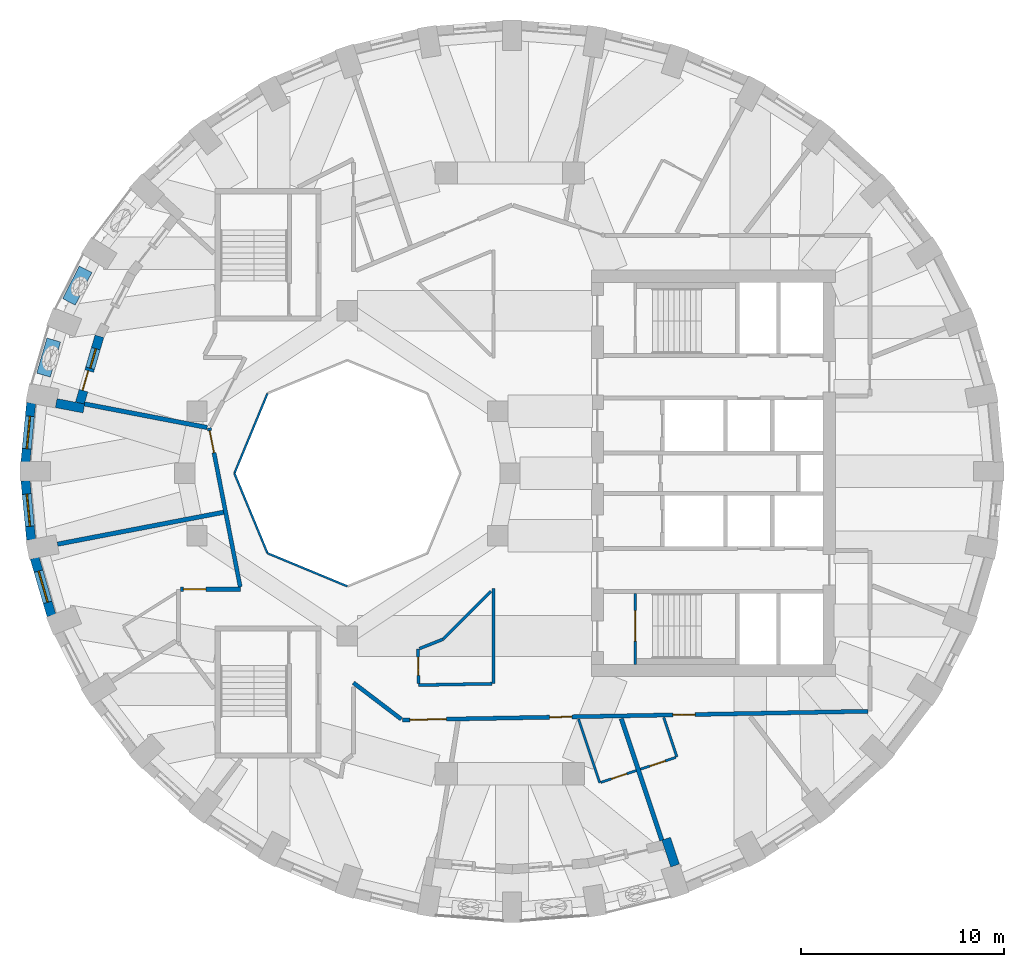
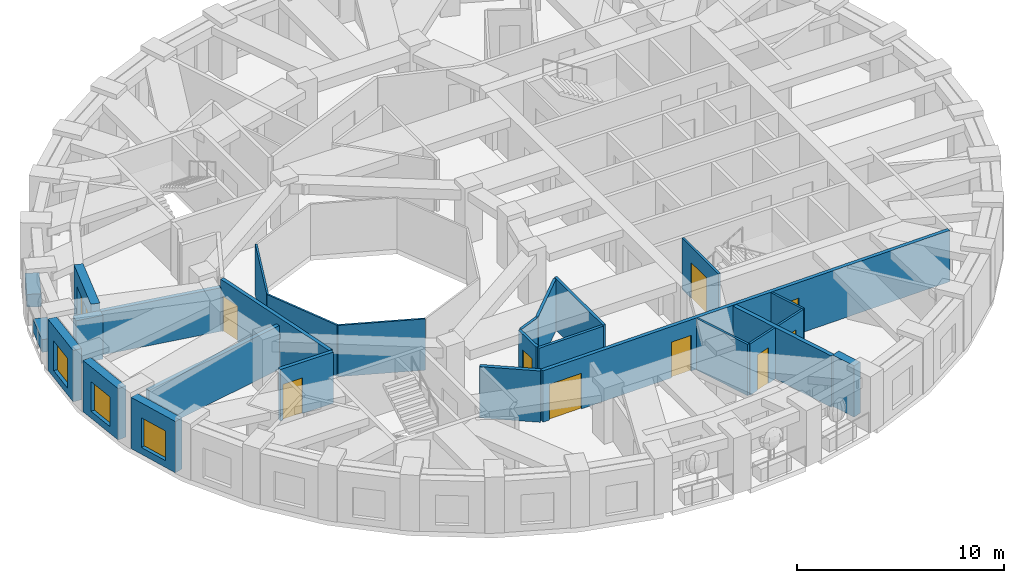
# One storey, part 4 of 11: 28 walls, 10 doors, 4 windows, 14 openings.
"""IFC4 building model written with IfcOpenShell, lengths in metres."""

from ifc_helpers import new_model, si_unit, direction, frame, frame_2d, origin, place, context, subcontext, project, spatial, rectangle, extrude, material, layer, layer_set, constituent, constituent_set, type_object, element, fill, save


model = new_model("IFC4")

# Units and contexts
model_context = context("Model", 3, precision=1e-05, world=origin(), true_north=direction((0.0, 1.0)))
body_context = subcontext(model_context, "Body", "Model", "MODEL_VIEW")
ifc_project = project(units=[si_unit("LENGTHUNIT", "METRE"), si_unit("AREAUNIT", "SQUARE_METRE"), si_unit("VOLUMEUNIT", "CUBIC_METRE"), si_unit("PLANEANGLEUNIT", "RADIAN"), si_unit("MASSUNIT", "GRAM", prefix="KILO")], contexts=[model_context])

# Site, building, storey
site_placement = place(None, origin())
site = spatial("IfcSite", under=ifc_project, at=site_placement, CompositionType="ELEMENT")
building_placement = place(site_placement, origin())
building = spatial("IfcBuilding", under=site, at=building_placement, Name="Taillehof Tower", CompositionType="ELEMENT")
storey_placement = place(building_placement, frame((0.0, 0.0, 161.60009765625)))
storey = spatial("IfcBuildingStorey", under=building, at=storey_placement, Name="L45", CompositionType="ELEMENT", Elevation=161.60009765625)

# Walls
ifc_material_1 = material(Name="Fire-resisting glass in steel frame", Category="steel")
ifc_layer_1 = layer(ifc_material_1, 0.10009765625)
ifc_layer_set_1 = layer_set([ifc_layer_1], Name="Atrium fire-resisting screen EI 60 100")
wall_type_1 = type_object("IfcWallType", Name="Atrium fire-resisting screen EI 60 100", PredefinedType="PARTITIONING", material=ifc_layer_set_1)
for number, where, z_axis, x_axis, name in (
    (1, (-8.0, -5.55419921875, 0.0), (0.0, 0.0, 1.0), (-0.923860025149, 0.382730523909, 0.0), "Atrium screen"),
    (2, (-11.92724609375, -3.92724609375, 0.0), (0.0, 0.0, 1.0), (-0.382730523909, 0.923860025149, 0.0), "Atrium screen"),
    (3, (-13.55419921875, 0.0, 0.0), (0.0, 0.0, 1.0), (0.382730523909, 0.923860025149, 0.0), "Atrium screen"),
):
    element("IfcWall", number, at=place(storey_placement, frame(where, z_axis=z_axis, x_axis=x_axis)), inside=storey, type_object=wall_type_1, Name=name, PredefinedType="PARTITIONING", context=body_context, shape_type="SweptSolid", body=[
        extrude(rectangle(XDim=4.2509765625, YDim=0.10009765625, at=frame_2d((2.12548828125, 0.0))), origin(), (0.0, 0.0, 1.0), 3.02001953125),
    ])

# Wall, opening, window
ifc_material_2 = material(Name="Brick masonry", Category="masonry")
ifc_layer_2 = layer(ifc_material_2, 0.449951171875)
ifc_layer_set_2 = layer_set([ifc_layer_2], Name="Brick infill wall 450")
wall_type_2 = type_object("IfcWallType", Name="Brick infill wall 450", PredefinedType="SOLIDWALL", material=ifc_layer_set_2)
wall_1_placement = place(storey_placement, frame((-23.5517578125, 3.468505859375, 0.0), z_axis=(0.0, 0.0, 1.0), x_axis=(-0.095265737322, -0.995451876935, 0.0)))
wall_1 = element("IfcWall", 4, at=wall_1_placement, inside=storey, type_object=wall_type_2, Name="Brick wall L45 bay 18", PredefinedType="SOLIDWALL", context=body_context, shape_type="SweptSolid", body=[
    extrude(rectangle(XDim=2.9267578125, YDim=0.449951171875, at=frame_2d((1.46337890625, 0.0))), origin(), (0.0, 0.0, 1.0), 3.02001953125),
])
opening_1_placement = place(wall_1_placement, frame((0.663330078125, 0.0, 0.39990234375)))
opening_1 = element("IfcOpeningElement", 5, at=opening_1_placement, cuts=wall_1, Name="Opening W3", PredefinedType="OPENING", context=body_context, shape_type="SweptSolid", body=[
    extrude(rectangle(XDim=1.60009765625, YDim=1.75, at=frame_2d((0.800048828125, 0.875))), frame((0.0, 0.23486328125, 0.0), z_axis=(0.0, -1.0, 0.0), x_axis=(1.0, 0.0, 0.0)), (0.0, 0.0, 1.0), 0.469970703125),
])
ifc_material_3 = material(Name="Aluminium window frame with clear double glazing", Category="aluminium")
window_type_1 = type_object("IfcWindowType", Name="Deep-set window 1600x1750", PartitioningType="SINGLE_PANEL", PredefinedType="WINDOW", material=ifc_material_3)
window_1_placement = place(opening_1_placement, origin())
window_1 = element("IfcWindow", 6, at=window_1_placement, inside=storey, type_object=window_type_1, Name="W3", OverallHeight=1.75, OverallWidth=1.60009765625, PartitioningType="SINGLE_PANEL", PredefinedType="WINDOW", context=body_context, shape_type="SweptSolid", body=[
    extrude(rectangle(XDim=1.60009765625, YDim=1.75, at=frame_2d((0.800048828125, 0.875))), frame((0.0, 0.034912109375, 0.0), z_axis=(0.0, -1.0, 0.0), x_axis=(1.0, 0.0, 0.0)), (0.0, 0.0, 1.0), 0.06005859375),
])
fill(opening_1, window_1)

wall_2_placement = place(storey_placement, frame((-23.83056640625, -0.35498046875, 0.0), z_axis=(0.0, 0.0, 1.0), x_axis=(0.095257827044, -0.995452633924, 0.0)))
wall_2 = element("IfcWall", 7, at=wall_2_placement, inside=storey, type_object=wall_type_2, Name="Brick wall L45 bay 19", PredefinedType="SOLIDWALL", context=body_context, shape_type="SweptSolid", body=[
    extrude(rectangle(XDim=2.927001953125, YDim=0.449951171875, at=frame_2d((1.46337890625, 0.0))), origin(), (0.0, 0.0, 1.0), 3.02001953125),
])
opening_2_placement = place(wall_2_placement, frame((0.663330078125, 0.0, 0.39990234375)))
opening_2 = element("IfcOpeningElement", 8, at=opening_2_placement, cuts=wall_2, Name="Opening W3", PredefinedType="OPENING", context=body_context, shape_type="SweptSolid", body=[
    extrude(rectangle(XDim=1.60009765625, YDim=1.75, at=frame_2d((0.800048828125, 0.875))), frame((0.0, 0.23486328125, 0.0), z_axis=(0.0, -1.0, 0.0), x_axis=(1.0, 0.0, 0.0)), (0.0, 0.0, 1.0), 0.469970703125),
])
window_2_placement = place(opening_2_placement, origin())
window_2 = element("IfcWindow", 9, at=window_2_placement, inside=storey, type_object=window_type_1, Name="W3", OverallHeight=1.75, OverallWidth=1.60009765625, PartitioningType="SINGLE_PANEL", PredefinedType="WINDOW", context=body_context, shape_type="SweptSolid", body=[
    extrude(rectangle(XDim=1.60009765625, YDim=1.75, at=frame_2d((0.800048828125, 0.875))), frame((0.0, 0.034912109375, 0.0), z_axis=(0.0, -1.0, 0.0), x_axis=(1.0, 0.0, 0.0)), (0.0, 0.0, 1.0), 0.06005859375),
])
fill(opening_2, window_2)

wall_3_placement = place(storey_placement, frame((-23.3798828125, -4.162353515625, 0.0), z_axis=(0.0, 0.0, 1.0), x_axis=(0.281125768296, -0.959670934435, 0.0)))
wall_3 = element("IfcWall", 10, at=wall_3_placement, inside=storey, type_object=wall_type_2, Name="Brick wall L45 bay 20", PredefinedType="SOLIDWALL", context=body_context, shape_type="SweptSolid", body=[
    extrude(rectangle(XDim=2.947509765625, YDim=0.449951171875, at=frame_2d((1.4736328125, 0.0))), origin(), (0.0, 0.0, 1.0), 3.02001953125),
])
opening_3_placement = place(wall_3_placement, frame((0.673583984375, 0.0, 0.39990234375)))
opening_3 = element("IfcOpeningElement", 11, at=opening_3_placement, cuts=wall_3, Name="Opening W3", PredefinedType="OPENING", context=body_context, shape_type="SweptSolid", body=[
    extrude(rectangle(XDim=1.60009765625, YDim=1.75, at=frame_2d((0.800048828125, 0.875))), frame((0.0, 0.23486328125, 0.0), z_axis=(0.0, -1.0, 0.0), x_axis=(1.0, 0.0, 0.0)), (0.0, 0.0, 1.0), 0.469970703125),
])
window_3_placement = place(opening_3_placement, origin())
window_3 = element("IfcWindow", 12, at=window_3_placement, inside=storey, type_object=window_type_1, Name="W3", OverallHeight=1.75, OverallWidth=1.60009765625, PartitioningType="SINGLE_PANEL", PredefinedType="WINDOW", context=body_context, shape_type="SweptSolid", body=[
    extrude(rectangle(XDim=1.60009765625, YDim=1.75, at=frame_2d((0.800048828125, 0.875))), frame((0.0, 0.034912109375, 0.0), z_axis=(0.0, -1.0, 0.0), x_axis=(1.0, 0.0, 0.0)), (0.0, 0.0, 1.0), 0.06005859375),
])
fill(opening_3, window_3)

# Walls
wall_4_placement = place(storey_placement, frame((8.12158203125, -19.286376953125, 0.0), z_axis=(0.0, 0.0, 1.0), x_axis=(-0.316649231286, 0.948542705589, 0.0)))
element("IfcWall", 13, at=wall_4_placement, inside=storey, type_object=wall_type_2, Name="Brick reveal L45 pocket 8", PredefinedType="SOLIDWALL", context=body_context, shape_type="SweptSolid", body=[
    extrude(rectangle(XDim=1.39013671875, YDim=0.449951171875, at=frame_2d((0.695068359375, 0.0))), origin(), (0.0, 0.0, 1.0), 3.02001953125),
])
wall_5_placement = place(storey_placement, frame((-22.321533203125, 3.45458984375, 0.0), z_axis=(0.0, 0.0, 1.0), x_axis=(0.982051513278, -0.188612897936, 0.0)))
element("IfcWall", 14, at=wall_5_placement, inside=storey, type_object=wall_type_2, Name="Brick reveal L45 pocket 4", PredefinedType="SOLIDWALL", context=body_context, shape_type="SweptSolid", body=[
    extrude(rectangle(XDim=1.39013671875, YDim=0.449951171875, at=frame_2d((0.695068359375, 0.0))), origin(), (0.0, 0.0, 1.0), 2.56982421875),
])

# Wall, openings, door, window
wall_6_placement = place(storey_placement, frame((-20.19384765625, 6.74462890625, 0.0), z_axis=(0.0, 0.0, 1.0), x_axis=(-0.280397139934, -0.959884078375, 0.0)))
wall_6 = element("IfcWall", 15, at=wall_6_placement, inside=storey, type_object=wall_type_2, Name="Brick wall L45 pocket bay 17", PredefinedType="SOLIDWALL", context=body_context, shape_type="SweptSolid", body=[
    extrude(rectangle(XDim=3.422607421875, YDim=0.449951171875, at=frame_2d((1.71142578125, 0.0))), origin(), (0.0, 0.0, 1.0), 3.02001953125),
])
opening_4_placement = place(wall_6_placement, frame((0.63623046875, 0.0, 0.39990234375)))
opening_4 = element("IfcOpeningElement", 16, at=opening_4_placement, cuts=wall_6, Name="Opening W5", PredefinedType="OPENING", context=body_context, shape_type="SweptSolid", body=[
    extrude(rectangle(XDim=1.0, YDim=1.75, at=frame_2d((0.5, 0.875))), frame((0.0, 0.23486328125, 0.0), z_axis=(0.0, -1.0, 0.0), x_axis=(1.0, 0.0, 0.0)), (0.0, 0.0, 1.0), 0.469970703125),
])
opening_5_placement = place(wall_6_placement, frame((1.786376953125, 0.0, 0.0)))
opening_5 = element("IfcOpeningElement", 17, at=opening_5_placement, cuts=wall_6, Name="Opening D4596", PredefinedType="OPENING", context=body_context, shape_type="SweptSolid", body=[
    extrude(rectangle(XDim=1.0, YDim=2.14990234375, at=frame_2d((0.5, 1.074951171875))), frame((0.0, 0.23486328125, 0.0), z_axis=(0.0, -1.0, 0.0), x_axis=(1.0, 0.0, 0.0)), (0.0, 0.0, 1.0), 0.469970703125),
])
ifc_material_4 = material(Name="Aluminium door frame with clear double glazing", Category="aluminium")
door_type_1 = type_object("IfcDoorType", Name="Balcony door 1000x2150", OperationType="SINGLE_SWING_RIGHT", PredefinedType="DOOR", material=ifc_material_4)
door_1_placement = place(opening_5_placement, frame((1.0, 0.0, 0.0), z_axis=(0.0, 0.0, 1.0), x_axis=(-1.0, 0.0, 0.0)))
door_1 = element("IfcDoor", 18, at=door_1_placement, inside=storey, type_object=door_type_1, Name="Balcony door L45 bay 17", OperationType="SINGLE_SWING_LEFT", OverallHeight=2.14990234375, OverallWidth=1.0, PredefinedType="DOOR", context=body_context, shape_type="SweptSolid", body=[
    extrude(rectangle(XDim=1.0, YDim=2.14990234375, at=frame_2d((0.5, 1.074951171875))), frame((0.0, 0.0751953125, 0.0), z_axis=(0.0, -1.0, 0.0), x_axis=(1.0, 0.0, 0.0)), (0.0, 0.0, 1.0), 0.050048828125),
])
fill(opening_5, door_1)
ifc_material_5 = material(Name="Aluminium window frame with clear double glazing", Category="aluminium")
window_type_2 = type_object("IfcWindowType", Name="Fixed window 1000x1750", PartitioningType="SINGLE_PANEL", PredefinedType="WINDOW", material=ifc_material_5)
window_4_placement = place(opening_4_placement, origin())
window_4 = element("IfcWindow", 19, at=window_4_placement, inside=storey, type_object=window_type_2, Name="W5", OverallHeight=1.75, OverallWidth=1.0, PartitioningType="SINGLE_PANEL", PredefinedType="WINDOW", context=body_context, shape_type="SweptSolid", body=[
    extrude(rectangle(XDim=1.0, YDim=1.75, at=frame_2d((0.5, 0.875))), frame((0.0, 0.034912109375, 0.0), z_axis=(0.0, -1.0, 0.0), x_axis=(1.0, 0.0, 0.0)), (0.0, 0.0, 1.0), 0.06005859375),
])
fill(opening_4, window_4)

# Wall, openings, doors
ifc_material_6 = material(Name="Gypsum board on steel studs, two layers each side", Category="steel")
ifc_layer_3 = layer(ifc_material_6, 0.199951171875)
ifc_layer_set_3 = layer_set([ifc_layer_3], Name="Compartment wall corridor 200")
wall_type_3 = type_object("IfcWallType", Name="Compartment wall corridor 200", PredefinedType="PARTITIONING", material=ifc_layer_set_3)
wall_7_placement = place(storey_placement, frame((17.599853515625, -11.702392578125, 0.0), z_axis=(0.0, 0.0, 1.0), x_axis=(-0.999825923551, -0.018658043723, 0.0)))
wall_7 = element("IfcWall", 20, at=wall_7_placement, inside=storey, type_object=wall_type_3, Name="Compartment wall", PredefinedType="PARTITIONING", context=body_context, shape_type="SweptSolid", body=[
    extrude(rectangle(XDim=22.898681640625, YDim=0.199951171875, at=frame_2d((11.44921875, 0.0))), origin(), (0.0, 0.0, 1.0), 3.02001953125),
])
opening_6_placement = place(wall_7_placement, frame((20.728759765625, 0.0, 0.0)))
opening_6 = element("IfcOpeningElement", 21, at=opening_6_placement, cuts=wall_7, Name="Opening D4551", PredefinedType="OPENING", context=body_context, shape_type="SweptSolid", body=[
    extrude(rectangle(XDim=1.800048828125, YDim=2.10009765625, at=frame_2d((0.89990234375, 1.050048828125))), frame((0.0, 0.10986328125, 0.0), z_axis=(0.0, -1.0, 0.0), x_axis=(1.0, 0.0, 0.0)), (0.0, 0.0, 1.0), 0.219970703125),
])
opening_7_placement = place(wall_7_placement, frame((14.55419921875, 0.0, 0.0)))
opening_7 = element("IfcOpeningElement", 22, at=opening_7_placement, cuts=wall_7, Name="Opening D4552", PredefinedType="OPENING", context=body_context, shape_type="SweptSolid", body=[
    extrude(rectangle(XDim=1.10009765625, YDim=2.10009765625, at=frame_2d((0.550048828125, 1.050048828125))), frame((0.0, 0.10986328125, 0.0), z_axis=(0.0, -1.0, 0.0), x_axis=(1.0, 0.0, 0.0)), (0.0, 0.0, 1.0), 0.219970703125),
])
opening_8_placement = place(wall_7_placement, frame((8.4912109375, 0.0, 0.0)))
opening_8 = element("IfcOpeningElement", 23, at=opening_8_placement, cuts=wall_7, Name="Opening D4554", PredefinedType="OPENING", context=body_context, shape_type="SweptSolid", body=[
    extrude(rectangle(XDim=1.10009765625, YDim=2.10009765625, at=frame_2d((0.550048828125, 1.050048828125))), frame((0.0, 0.10986328125, 0.0), z_axis=(0.0, -1.0, 0.0), x_axis=(1.0, 0.0, 0.0)), (0.0, 0.0, 1.0), 0.219970703125),
])
ifc_material_7 = material(Name="Timber door leaf in steel frame", Category="steel")
door_type_2 = type_object("IfcDoorType", Name="Lounge and meeting room double door EI 30 1800 x 2100", OperationType="SINGLE_SWING_LEFT", PredefinedType="DOOR", material=ifc_material_7)
door_2_placement = place(opening_6_placement, origin())
door_2 = element("IfcDoor", 24, at=door_2_placement, inside=storey, type_object=door_type_2, Name="D4551", OperationType="DOUBLE_DOOR_SINGLE_SWING", OverallHeight=2.10009765625, OverallWidth=1.800048828125, PredefinedType="DOOR", context=body_context, shape_type="SweptSolid", body=[
    extrude(rectangle(XDim=1.800048828125, YDim=2.10009765625, at=frame_2d((0.89990234375, 1.050048828125))), frame((0.0, 0.02490234375, 0.0), z_axis=(0.0, -1.0, 0.0), x_axis=(1.0, 0.0, 0.0)), (0.0, 0.0, 1.0), 0.050048828125),
])
fill(opening_6, door_2)
ifc_material_8 = material(Name="Timber door leaf in steel frame", Category="steel")
door_type_3 = type_object("IfcDoorType", Name="Suite entrance door EI 30 1100 x 2100", OperationType="SINGLE_SWING_LEFT", PredefinedType="DOOR", material=ifc_material_8)
door_3_placement = place(opening_7_placement, origin())
door_3 = element("IfcDoor", 25, at=door_3_placement, inside=storey, type_object=door_type_3, Name="D4552", OperationType="SINGLE_SWING_LEFT", OverallHeight=2.10009765625, OverallWidth=1.10009765625, PredefinedType="DOOR", context=body_context, shape_type="SweptSolid", body=[
    extrude(rectangle(XDim=1.10009765625, YDim=2.10009765625, at=frame_2d((0.550048828125, 1.050048828125))), frame((0.0, 0.02490234375, 0.0), z_axis=(0.0, -1.0, 0.0), x_axis=(1.0, 0.0, 0.0)), (0.0, 0.0, 1.0), 0.050048828125),
])
fill(opening_7, door_3)
door_4_placement = place(opening_8_placement, origin())
door_4 = element("IfcDoor", 26, at=door_4_placement, inside=storey, type_object=door_type_3, Name="D4554", OperationType="SINGLE_SWING_RIGHT", OverallHeight=2.10009765625, OverallWidth=1.10009765625, PredefinedType="DOOR", context=body_context, shape_type="SweptSolid", body=[
    extrude(rectangle(XDim=1.10009765625, YDim=2.10009765625, at=frame_2d((0.550048828125, 1.050048828125))), frame((0.0, 0.02490234375, 0.0), z_axis=(0.0, -1.0, 0.0), x_axis=(1.0, 0.0, 0.0)), (0.0, 0.0, 1.0), 0.050048828125),
])
fill(opening_8, door_4)

# Wall
wall_8_placement = place(storey_placement, frame((-5.342529296875, -12.093017578125, 0.0), z_axis=(0.0, 0.0, 1.0), x_axis=(-0.796104996328, 0.605158520407, 0.0)))
element("IfcWall", 27, at=wall_8_placement, inside=storey, type_object=wall_type_3, Name="Compartment wall", PredefinedType="PARTITIONING", context=body_context, shape_type="SweptSolid", body=[
    extrude(rectangle(XDim=2.961181640625, YDim=0.199951171875, at=frame_2d((1.48046875, 0.0))), origin(), (0.0, 0.0, 1.0), 3.02001953125),
])

# Wall, opening, door
wall_9_placement = place(storey_placement, frame((-16.199951171875, -5.699951171875, 0.0), z_axis=(0.0, 0.0, 1.0), x_axis=(1.0, 0.0, 0.0)))
wall_9 = element("IfcWall", 28, at=wall_9_placement, inside=storey, type_object=wall_type_3, Name="Compartment wall", PredefinedType="PARTITIONING", context=body_context, shape_type="SweptSolid", body=[
    extrude(rectangle(XDim=2.955322265625, YDim=0.199951171875, at=frame_2d((1.4775390625, 0.0))), origin(), (0.0, 0.0, 1.0), 3.02001953125),
])
opening_9_placement = place(wall_9_placement, frame((0.139892578125, 0.0, 0.0)))
opening_9 = element("IfcOpeningElement", 29, at=opening_9_placement, cuts=wall_9, Name="Opening D4548", PredefinedType="OPENING", context=body_context, shape_type="SweptSolid", body=[
    extrude(rectangle(XDim=1.10009765625, YDim=2.10009765625, at=frame_2d((0.550048828125, 1.050048828125))), frame((0.0, 0.10986328125, 0.0), z_axis=(0.0, -1.0, 0.0), x_axis=(1.0, 0.0, 0.0)), (0.0, 0.0, 1.0), 0.219970703125),
])
door_5_placement = place(opening_9_placement, origin())
door_5 = element("IfcDoor", 30, at=door_5_placement, inside=storey, type_object=door_type_3, Name="D4548", OperationType="SINGLE_SWING_RIGHT", OverallHeight=2.10009765625, OverallWidth=1.10009765625, PredefinedType="DOOR", context=body_context, shape_type="SweptSolid", body=[
    extrude(rectangle(XDim=1.10009765625, YDim=2.10009765625, at=frame_2d((0.550048828125, 1.050048828125))), frame((0.0, 0.02490234375, 0.0), z_axis=(0.0, -1.0, 0.0), x_axis=(1.0, 0.0, 0.0)), (0.0, 0.0, 1.0), 0.050048828125),
])
fill(opening_9, door_5)

wall_10_placement = place(storey_placement, frame((-13.26806640625, -5.582763671875, 0.0), z_axis=(0.0, 0.0, 1.0), x_axis=(-0.191747927029, 0.981444207523, 0.0)))
wall_10 = element("IfcWall", 31, at=wall_10_placement, inside=storey, type_object=wall_type_3, Name="Compartment wall", PredefinedType="PARTITIONING", context=body_context, shape_type="SweptSolid", body=[
    extrude(rectangle(XDim=7.968017578125, YDim=0.199951171875, at=frame_2d((3.98388671875, 0.0))), origin(), (0.0, 0.0, 1.0), 3.02001953125),
])
opening_10_placement = place(wall_10_placement, frame((6.72802734375, 0.0, 0.0)))
opening_10 = element("IfcOpeningElement", 32, at=opening_10_placement, cuts=wall_10, Name="Opening D4547", PredefinedType="OPENING", context=body_context, shape_type="SweptSolid", body=[
    extrude(rectangle(XDim=1.10009765625, YDim=2.10009765625, at=frame_2d((0.550048828125, 1.050048828125))), frame((0.0, 0.10986328125, 0.0), z_axis=(0.0, -1.0, 0.0), x_axis=(1.0, 0.0, 0.0)), (0.0, 0.0, 1.0), 0.219970703125),
])
door_6_placement = place(opening_10_placement, origin())
door_6 = element("IfcDoor", 33, at=door_6_placement, inside=storey, type_object=door_type_3, Name="D4547", OperationType="SINGLE_SWING_RIGHT", OverallHeight=2.10009765625, OverallWidth=1.10009765625, PredefinedType="DOOR", context=body_context, shape_type="SweptSolid", body=[
    extrude(rectangle(XDim=1.10009765625, YDim=2.10009765625, at=frame_2d((0.550048828125, 1.050048828125))), frame((0.0, 0.02490234375, 0.0), z_axis=(0.0, -1.0, 0.0), x_axis=(1.0, 0.0, 0.0)), (0.0, 0.0, 1.0), 0.050048828125),
])
fill(opening_10, door_6)

# Walls
ifc_material_9 = material(Name="Gypsum board on double steel studs with mineral wool", Category="steel")
ifc_layer_4 = layer(ifc_material_9, 0.219970703125)
ifc_layer_set_4 = layer_set([ifc_layer_4], Name="Compartment wall guest room 220")
wall_type_4 = type_object("IfcWallType", Name="Compartment wall guest room 220", PredefinedType="PARTITIONING", material=ifc_layer_set_4)
wall_11_placement = place(storey_placement, frame((-20.931640625, 3.416748046875, 0.0), z_axis=(0.0, 0.0, 1.0), x_axis=(0.9820075798, -0.188841502892, 0.0)))
element("IfcWall", 34, at=wall_11_placement, inside=storey, type_object=wall_type_4, Name="Compartment wall", PredefinedType="PARTITIONING", context=body_context, shape_type="SweptSolid", body=[
    extrude(rectangle(XDim=6.148681640625, YDim=0.219970703125, at=frame_2d((3.07421875, 0.0))), origin(), (0.0, 0.0, 1.0), 2.56982421875),
])
wall_12_placement = place(storey_placement, frame((-22.25732421875, -3.483154296875, 0.0), z_axis=(0.0, 0.0, 1.0), x_axis=(0.982022559039, 0.188763591666, 0.0)))
element("IfcWall", 35, at=wall_12_placement, inside=storey, type_object=wall_type_4, Name="Compartment wall", PredefinedType="PARTITIONING", context=body_context, shape_type="SweptSolid", body=[
    extrude(rectangle(XDim=8.3203125, YDim=0.219970703125, at=frame_2d((4.16015625, 0.0))), origin(), (0.0, 0.0, 1.0), 2.56982421875),
])
wall_13_placement = place(storey_placement, frame((7.473876953125, -18.056396484375, 0.0), z_axis=(0.0, 0.0, 1.0), x_axis=(-0.316714858998, 0.948520794759, 0.0)))
element("IfcWall", 36, at=wall_13_placement, inside=storey, type_object=wall_type_4, Name="Compartment wall", PredefinedType="PARTITIONING", context=body_context, shape_type="SweptSolid", body=[
    extrude(rectangle(XDim=6.31494140625, YDim=0.219970703125, at=frame_2d((3.157470703125, 0.0))), origin(), (0.0, 0.0, 1.0), 3.02001953125),
])
ifc_material_10 = material(Name="Gypsum board on steel studs, two layers each side", Category="steel")
ifc_layer_5 = layer(ifc_material_10, 0.14990234375)
ifc_layer_set_5 = layer_set([ifc_layer_5], Name="Compartment wall service room 150")
wall_type_5 = type_object("IfcWallType", Name="Compartment wall service room 150", PredefinedType="PARTITIONING", material=ifc_layer_set_5)
wall_14_placement = place(storey_placement, frame((-0.800048828125, -5.66943359375, 0.0), z_axis=(0.0, 0.0, 1.0), x_axis=(0.0, -1.0, 0.0)))
element("IfcWall", 37, at=wall_14_placement, inside=storey, type_object=wall_type_5, Name="Compartment wall", PredefinedType="PARTITIONING", context=body_context, shape_type="SweptSolid", body=[
    extrude(rectangle(XDim=4.67578125, YDim=0.14990234375, at=frame_2d((2.337890625, 0.0))), origin(), (0.0, 0.0, 1.0), 3.02001953125),
])
wall_15_placement = place(storey_placement, frame((-0.880126953125, -10.34716796875, 0.0), z_axis=(0.0, 0.0, 1.0), x_axis=(-0.999826791681, -0.018611465199, 0.0)))
element("IfcWall", 38, at=wall_15_placement, inside=storey, type_object=wall_type_5, Name="Compartment wall", PredefinedType="PARTITIONING", context=body_context, shape_type="SweptSolid", body=[
    extrude(rectangle(XDim=3.62060546875, YDim=0.14990234375, at=frame_2d((1.810302734375, 0.0))), origin(), (0.0, 0.0, 1.0), 3.02001953125),
])

# Wall, opening, door
wall_16_placement = place(storey_placement, frame((-4.5009765625, -10.33447265625, 0.0), z_axis=(0.0, 0.0, 1.0), x_axis=(-0.015785981736, 0.999875393627, 0.0)))
wall_16 = element("IfcWall", 39, at=wall_16_placement, inside=storey, type_object=wall_type_5, Name="Compartment wall", PredefinedType="PARTITIONING", context=body_context, shape_type="SweptSolid", body=[
    extrude(rectangle(XDim=1.685791015625, YDim=0.14990234375, at=frame_2d((0.8427734375, 0.0))), origin(), (0.0, 0.0, 1.0), 3.02001953125),
])
opening_11_placement = place(wall_16_placement, frame((0.392822265625, 0.0, 0.0)))
opening_11 = element("IfcOpeningElement", 40, at=opening_11_placement, cuts=wall_16, Name="Opening D4560", PredefinedType="OPENING", context=body_context, shape_type="SweptSolid", body=[
    extrude(rectangle(XDim=0.89990234375, YDim=2.10009765625, at=frame_2d((0.449951171875, 1.050048828125))), frame((0.0, 0.0849609375, 0.0), z_axis=(0.0, -1.0, 0.0), x_axis=(1.0, 0.0, 0.0)), (0.0, 0.0, 1.0), 0.169921875),
])
ifc_material_11 = material(Name="Timber door leaf in steel frame", Category="steel")
door_type_4 = type_object("IfcDoorType", Name="Service room door EI 30 900 x 2100", OperationType="SINGLE_SWING_LEFT", PredefinedType="DOOR", material=ifc_material_11)
door_7_placement = place(opening_11_placement, origin())
door_7 = element("IfcDoor", 41, at=door_7_placement, inside=storey, type_object=door_type_4, Name="D4560", OperationType="SINGLE_SWING_LEFT", OverallHeight=2.10009765625, OverallWidth=0.89990234375, PredefinedType="DOOR", context=body_context, shape_type="SweptSolid", body=[
    extrude(rectangle(XDim=0.89990234375, YDim=2.10009765625, at=frame_2d((0.449951171875, 1.050048828125))), frame((0.0, 0.02490234375, 0.0), z_axis=(0.0, -1.0, 0.0), x_axis=(1.0, 0.0, 0.0)), (0.0, 0.0, 1.0), 0.050048828125),
])
fill(opening_11, door_7)

# Walls
wall_17_placement = place(storey_placement, frame((-4.453369140625, -8.61962890625, 0.0), z_axis=(0.0, 0.0, 1.0), x_axis=(0.929802441214, 0.36805899026, 0.0)))
element("IfcWall", 42, at=wall_17_placement, inside=storey, type_object=wall_type_5, Name="Compartment wall", PredefinedType="PARTITIONING", context=body_context, shape_type="SweptSolid", body=[
    extrude(rectangle(XDim=1.251708984375, YDim=0.14990234375, at=frame_2d((0.6259765625, 0.0))), origin(), (0.0, 0.0, 1.0), 3.02001953125),
])
wall_18_placement = place(storey_placement, frame((-3.275390625, -8.144775390625, 0.0), z_axis=(0.0, 0.0, 1.0), x_axis=(0.707106781187, 0.707106781187, 0.0)))
element("IfcWall", 43, at=wall_18_placement, inside=storey, type_object=wall_type_5, Name="Compartment wall", PredefinedType="PARTITIONING", context=body_context, shape_type="SweptSolid", body=[
    extrude(rectangle(XDim=3.3203125, YDim=0.14990234375, at=frame_2d((1.66015625, 0.0))), origin(), (0.0, 0.0, 1.0), 3.02001953125),
])
ifc_material_12 = material(Name="Gypsum board on steel studs, moisture resistant", Category="steel")
ifc_layer_6 = layer(ifc_material_12, 0.1201171875)
ifc_layer_set_6 = layer_set([ifc_layer_6], Name="En-suite wall 120")
wall_type_6 = type_object("IfcWallType", Name="En-suite wall 120", PredefinedType="PARTITIONING", material=ifc_layer_set_6)
wall_19_placement = place(storey_placement, frame((3.3720703125, -12.0869140625, 0.0), z_axis=(0.0, 0.0, 1.0), x_axis=(0.316715775564, -0.948520488713, 0.0)))
element("IfcWall", 44, at=wall_19_placement, inside=storey, type_object=wall_type_6, Name="En-suite wall", PredefinedType="PARTITIONING", context=body_context, shape_type="SweptSolid", body=[
    extrude(rectangle(XDim=3.301513671875, YDim=0.1201171875, at=frame_2d((1.65087890625, 0.0))), origin(), (0.0, 0.0, 1.0), 3.02001953125),
])
wall_20_placement = place(storey_placement, frame((7.56298828125, -12.008544921875, 0.0), z_axis=(0.0, 0.0, 1.0), x_axis=(0.316763997654, -0.948504385752, 0.0)))
element("IfcWall", 45, at=wall_20_placement, inside=storey, type_object=wall_type_6, Name="En-suite wall", PredefinedType="PARTITIONING", context=body_context, shape_type="SweptSolid", body=[
    extrude(rectangle(XDim=2.048583984375, YDim=0.1201171875, at=frame_2d((1.0244140625, 0.0))), origin(), (0.0, 0.0, 1.0), 3.02001953125),
])

# Wall, opening, door
wall_21_placement = place(storey_placement, frame((4.474853515625, -15.199462890625, 0.0), z_axis=(0.0, 0.0, 1.0), x_axis=(0.948549784176, 0.316628026143, 0.0)))
wall_21 = element("IfcWall", 46, at=wall_21_placement, inside=storey, type_object=wall_type_6, Name="En-suite wall", PredefinedType="PARTITIONING", context=body_context, shape_type="SweptSolid", body=[
    extrude(rectangle(XDim=1.829833984375, YDim=0.1201171875, at=frame_2d((0.9150390625, 0.0))), origin(), (0.0, 0.0, 1.0), 3.02001953125),
])
opening_12_placement = place(wall_21_placement, frame((0.539794921875, 0.0, 0.0)))
opening_12 = element("IfcOpeningElement", 47, at=opening_12_placement, cuts=wall_21, Name="Opening D4553", PredefinedType="OPENING", context=body_context, shape_type="SweptSolid", body=[
    extrude(rectangle(XDim=0.800048828125, YDim=2.10009765625, at=frame_2d((0.39990234375, 1.050048828125))), frame((0.0, 0.070068359375, 0.0), z_axis=(0.0, -1.0, 0.0), x_axis=(1.0, 0.0, 0.0)), (0.0, 0.0, 1.0), 0.14013671875),
])
ifc_material_13 = material(Name="Timber door leaf in steel frame", Category="steel")
door_type_5 = type_object("IfcDoorType", Name="En-suite door 800 x 2100", OperationType="SINGLE_SWING_LEFT", PredefinedType="DOOR", material=ifc_material_13)
door_8_placement = place(opening_12_placement, origin())
door_8 = element("IfcDoor", 48, at=door_8_placement, inside=storey, type_object=door_type_5, Name="D4553", OperationType="SINGLE_SWING_LEFT", OverallHeight=2.10009765625, OverallWidth=0.800048828125, PredefinedType="DOOR", context=body_context, shape_type="SweptSolid", body=[
    extrude(rectangle(XDim=0.800048828125, YDim=2.10009765625, at=frame_2d((0.39990234375, 1.050048828125))), frame((0.0, 0.02490234375, 0.0), z_axis=(0.0, -1.0, 0.0), x_axis=(1.0, 0.0, 0.0)), (0.0, 0.0, 1.0), 0.050048828125),
])
fill(opening_12, door_8)

wall_22_placement = place(storey_placement, frame((8.155029296875, -13.970703125, 0.0), z_axis=(0.0, 0.0, 1.0), x_axis=(-0.9485230882, -0.31670799035, 0.0)))
wall_22 = element("IfcWall", 49, at=wall_22_placement, inside=storey, type_object=wall_type_6, Name="En-suite wall", PredefinedType="PARTITIONING", context=body_context, shape_type="SweptSolid", body=[
    extrude(rectangle(XDim=1.830078125, YDim=0.1201171875, at=frame_2d((0.9150390625, 0.0))), origin(), (0.0, 0.0, 1.0), 3.02001953125),
])
opening_13_placement = place(wall_22_placement, frame((0.5400390625, 0.0, 0.0)))
opening_13 = element("IfcOpeningElement", 50, at=opening_13_placement, cuts=wall_22, Name="Opening D4555", PredefinedType="OPENING", context=body_context, shape_type="SweptSolid", body=[
    extrude(rectangle(XDim=0.800048828125, YDim=2.10009765625, at=frame_2d((0.39990234375, 1.050048828125))), frame((0.0, 0.070068359375, 0.0), z_axis=(0.0, -1.0, 0.0), x_axis=(1.0, 0.0, 0.0)), (0.0, 0.0, 1.0), 0.14013671875),
])
door_9_placement = place(opening_13_placement, origin())
door_9 = element("IfcDoor", 51, at=door_9_placement, inside=storey, type_object=door_type_5, Name="D4555", OperationType="SINGLE_SWING_RIGHT", OverallHeight=2.10009765625, OverallWidth=0.800048828125, PredefinedType="DOOR", context=body_context, shape_type="SweptSolid", body=[
    extrude(rectangle(XDim=0.800048828125, YDim=2.10009765625, at=frame_2d((0.39990234375, 1.050048828125))), frame((0.0, 0.02490234375, 0.0), z_axis=(0.0, -1.0, 0.0), x_axis=(1.0, 0.0, 0.0)), (0.0, 0.0, 1.0), 0.050048828125),
])
fill(opening_13, door_9)

# Walls
ifc_material_14 = material(Name="Concrete C30/37 precast", Category="concrete")
ifc_constituent_1 = constituent(ifc_material_14, Name="Structure", Category="concrete")
ifc_material_15 = material(Name="Insulated lining")
ifc_constituent_2 = constituent(ifc_material_15, Name="Lining")
ifc_constituent_set = constituent_set(constituents=[ifc_constituent_1, ifc_constituent_2], Name="Planter trough 700x750")
wall_type_7 = type_object("IfcWallType", Name="Planter trough 700x750", PredefinedType="USERDEFINED", material=ifc_constituent_set)
wall_23_placement = place(storey_placement, frame((-20.874755859375, 10.0390625, 0.0), z_axis=(0.0, 0.0, 1.0), x_axis=(-0.454090347167, -0.890955642336, 0.0)))
element("IfcWall", 52, at=wall_23_placement, inside=storey, type_object=wall_type_7, Name="Planter L45 bay 16", ObjectType="PLANTER", PredefinedType="USERDEFINED", context=body_context, shape_type="SweptSolid", body=[
    extrude(rectangle(XDim=1.800048828125, YDim=0.699951171875, at=frame_2d((0.89990234375, 0.0))), origin(), (0.0, 0.0, 1.0), 0.75),
])
wall_24_placement = place(storey_placement, frame((-22.439208984375, 6.56005859375, 0.0), z_axis=(0.0, 0.0, 1.0), x_axis=(-0.281057212968, -0.959691014358, 0.0)))
element("IfcWall", 53, at=wall_24_placement, inside=storey, type_object=wall_type_7, Name="Planter L45 bay 17", ObjectType="PLANTER", PredefinedType="USERDEFINED", context=body_context, shape_type="SweptSolid", body=[
    extrude(rectangle(XDim=1.7998046875, YDim=0.699951171875, at=frame_2d((0.89990234375, 0.0))), origin(), (0.0, 0.0, 1.0), 0.75),
])

# Wall, opening, door
ifc_material_16 = material(Name="Concrete C50/60", Category="concrete")
ifc_layer_7 = layer(ifc_material_16, 0.1201171875)
ifc_layer_set_7 = layer_set([ifc_layer_7], Name="Stair lobby wall C50/60 120")
wall_type_8 = type_object("IfcWallType", Name="Stair lobby wall C50/60 120", PredefinedType="SHEAR", material=ifc_layer_set_7)
wall_25_placement = place(storey_placement, frame((6.159912109375, -9.39990234375, 0.0), z_axis=(0.0, 0.0, 1.0), x_axis=(0.0, 1.0, 0.0)))
wall_25 = element("IfcWall", 54, at=wall_25_placement, inside=storey, type_object=wall_type_8, Name="Compartment wall SW", PredefinedType="SHEAR", context=body_context, shape_type="SweptSolid", body=[
    extrude(rectangle(XDim=3.5, YDim=0.1201171875, at=frame_2d((1.75, 0.0))), origin(), (0.0, 0.0, 1.0), 3.02001953125),
])
opening_14_placement = place(wall_25_placement, frame((1.14990234375, 0.0, 0.0)))
opening_14 = element("IfcOpeningElement", 55, at=opening_14_placement, cuts=wall_25, Name="Opening D4511", PredefinedType="OPENING", context=body_context, shape_type="SweptSolid", body=[
    extrude(rectangle(XDim=1.5, YDim=2.10009765625, at=frame_2d((0.75, 1.050048828125))), frame((0.0, 0.070068359375, 0.0), z_axis=(0.0, -1.0, 0.0), x_axis=(1.0, 0.0, 0.0)), (0.0, 0.0, 1.0), 0.14013671875),
])
ifc_material_17 = material(Name="Steel-faced fire door", Category="steel")
door_type_6 = type_object("IfcDoorType", Name="Stair door 1500x2100", OperationType="DOUBLE_DOOR_SINGLE_SWING", PredefinedType="DOOR", material=ifc_material_17)
door_10_placement = place(opening_14_placement, origin())
door_10 = element("IfcDoor", 56, at=door_10_placement, inside=storey, type_object=door_type_6, Name="Stair lobby door S2", OperationType="DOUBLE_DOOR_SINGLE_SWING", OverallHeight=2.10009765625, OverallWidth=1.5, PredefinedType="DOOR", context=body_context, shape_type="SweptSolid", body=[
    extrude(rectangle(XDim=1.5, YDim=2.10009765625, at=frame_2d((0.75, 1.050048828125))), frame((0.0, 0.02490234375, 0.0), z_axis=(0.0, -1.0, 0.0), x_axis=(1.0, 0.0, 0.0)), (0.0, 0.0, 1.0), 0.050048828125),
])
fill(opening_14, door_10)

save(model, "model.ifc")
